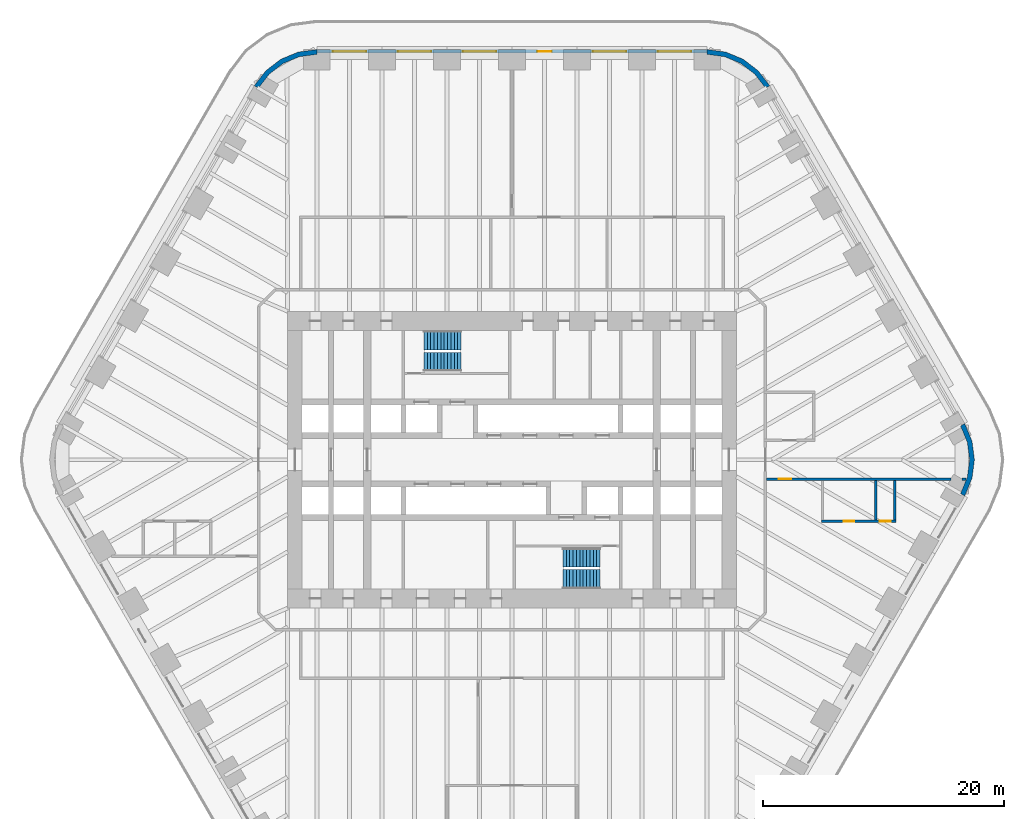
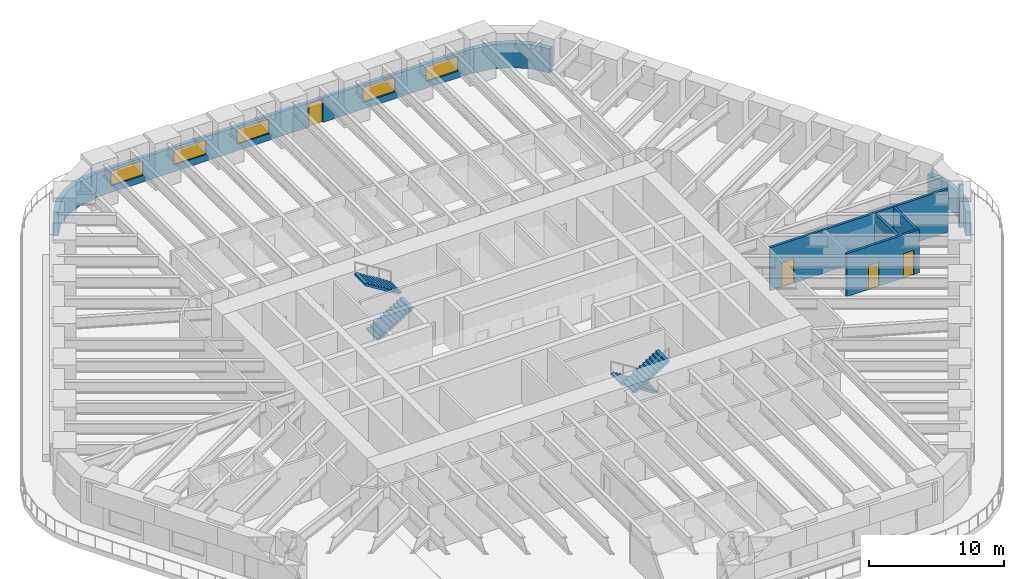
# One storey, part 13 of 16: 9 walls, 5 windows, 4 doors, 4 stair flights, 9 openings, 2 elements without a shape of their own.
"""IFC4 building model written with IfcOpenShell, lengths in metres."""

from ifc_helpers import new_model, si_unit, direction, frame, frame_2d, origin, place, context, subcontext, project, spatial, polyline, rectangle, outline, extrude, material, layer, layer_set, type_object, element, fill, aggregate, save


model = new_model("IFC4")

# Units and contexts
model_context = context("Model", 3, precision=1e-05, world=origin(), true_north=direction((0.0, 1.0)))
body_context = subcontext(model_context, "Body", "Model", "MODEL_VIEW")
ifc_project = project(units=[si_unit("LENGTHUNIT", "METRE"), si_unit("AREAUNIT", "SQUARE_METRE"), si_unit("VOLUMEUNIT", "CUBIC_METRE"), si_unit("PLANEANGLEUNIT", "RADIAN"), si_unit("MASSUNIT", "GRAM", prefix="KILO")], contexts=[model_context])

# Site, building, storey
site_placement = place(None, origin())
site = spatial("IfcSite", under=ifc_project, at=site_placement, CompositionType="ELEMENT")
building_placement = place(site_placement, origin())
building = spatial("IfcBuilding", under=site, at=building_placement, Name="Tarfa Lantern Tower", CompositionType="ELEMENT")
storey_placement = place(building_placement, frame((0.0, 0.0, 103.300048828125)))
storey = spatial("IfcBuildingStorey", under=building, at=storey_placement, Name="L23", CompositionType="ELEMENT", Elevation=103.300048828125)

# Wall, openings, door, windows
ifc_material_1 = material(Name="Limestone cladding on blockwork", Category="masonry")
ifc_layer_1 = layer(ifc_material_1, 0.300048828125)
ifc_layer_set_1 = layer_set([ifc_layer_1], Name="EW1 STONE-CLAD WALL 300")
wall_type_1 = type_object("IfcWallType", Name="EW1 STONE-CLAD WALL 300", PredefinedType="SOLIDWALL", material=ifc_layer_set_1)
wall_1_placement = place(storey_placement, frame((16.165771484375, 33.85009765625, 0.0), z_axis=(0.0, 0.0, 1.0), x_axis=(-1.0, 0.0, 0.0)))
wall_1 = element("IfcWall", 1, at=wall_1_placement, inside=storey, type_object=wall_type_1, Name="Stone wall N", PredefinedType="SOLIDWALL", context=body_context, shape_type="SweptSolid", body=[
    extrude(rectangle(XDim=32.33154296875, YDim=0.300048828125, at=frame_2d((16.165771484375, 0.0))), origin(), (0.0, 0.0, 1.0), 2.199951171875),
])
opening_1_placement = place(wall_1_placement, frame((1.3193359375, 0.0, 0.60009765625)))
opening_1 = element("IfcOpeningElement", 2, at=opening_1_placement, cuts=wall_1, Name="Opening W3", PredefinedType="OPENING", context=body_context, shape_type="SweptSolid", body=[
    extrude(rectangle(XDim=2.75, YDim=1.35009765625, at=frame_2d((1.375, 0.675048828125))), frame((0.0, 0.159912109375, 0.0), z_axis=(0.0, -1.0, 0.0), x_axis=(1.0, 0.0, 0.0)), (0.0, 0.0, 1.0), 0.320068359375),
])
opening_2_placement = place(wall_1_placement, frame((6.7080078125, 0.0, 0.60009765625)))
opening_2 = element("IfcOpeningElement", 3, at=opening_2_placement, cuts=wall_1, Name="Opening W3", PredefinedType="OPENING", context=body_context, shape_type="SweptSolid", body=[
    extrude(rectangle(XDim=2.75, YDim=1.35009765625, at=frame_2d((1.375, 0.675048828125))), frame((0.0, 0.159912109375, 0.0), z_axis=(0.0, -1.0, 0.0), x_axis=(1.0, 0.0, 0.0)), (0.0, 0.0, 1.0), 0.320068359375),
])
opening_3_placement = place(wall_1_placement, frame((12.87158203125, 0.0, 0.0)))
opening_3 = element("IfcOpeningElement", 4, at=opening_3_placement, cuts=wall_1, Name="Opening D45", PredefinedType="OPENING", context=body_context, shape_type="SweptSolid", body=[
    extrude(rectangle(XDim=1.199951171875, YDim=2.10009765625, at=frame_2d((0.60009765625, 1.050048828125))), frame((0.0, 0.159912109375, 0.0), z_axis=(0.0, -1.0, 0.0), x_axis=(1.0, 0.0, 0.0)), (0.0, 0.0, 1.0), 0.320068359375),
])
opening_4_placement = place(wall_1_placement, frame((17.485107421875, 0.0, 0.60009765625)))
opening_4 = element("IfcOpeningElement", 5, at=opening_4_placement, cuts=wall_1, Name="Opening W3", PredefinedType="OPENING", context=body_context, shape_type="SweptSolid", body=[
    extrude(rectangle(XDim=2.75, YDim=1.35009765625, at=frame_2d((1.375, 0.675048828125))), frame((0.0, 0.159912109375, 0.0), z_axis=(0.0, -1.0, 0.0), x_axis=(1.0, 0.0, 0.0)), (0.0, 0.0, 1.0), 0.320068359375),
])
opening_5_placement = place(wall_1_placement, frame((22.873779296875, 0.0, 0.60009765625)))
opening_5 = element("IfcOpeningElement", 6, at=opening_5_placement, cuts=wall_1, Name="Opening W3", PredefinedType="OPENING", context=body_context, shape_type="SweptSolid", body=[
    extrude(rectangle(XDim=2.75, YDim=1.35009765625, at=frame_2d((1.375, 0.675048828125))), frame((0.0, 0.159912109375, 0.0), z_axis=(0.0, -1.0, 0.0), x_axis=(1.0, 0.0, 0.0)), (0.0, 0.0, 1.0), 0.320068359375),
])
opening_6_placement = place(wall_1_placement, frame((28.26220703125, 0.0, 0.60009765625)))
opening_6 = element("IfcOpeningElement", 7, at=opening_6_placement, cuts=wall_1, Name="Opening W3", PredefinedType="OPENING", context=body_context, shape_type="SweptSolid", body=[
    extrude(rectangle(XDim=2.75, YDim=1.35009765625, at=frame_2d((1.375, 0.675048828125))), frame((0.0, 0.159912109375, 0.0), z_axis=(0.0, -1.0, 0.0), x_axis=(1.0, 0.0, 0.0)), (0.0, 0.0, 1.0), 0.320068359375),
])
ifc_material_2 = material(Name="Aluminium framed glazed door", Category="aluminium")
door_type_1 = type_object("IfcDoorType", Name="BE4 BALCONY DOOR 1200x2100", OperationType="SINGLE_SWING_RIGHT", PredefinedType="DOOR", material=ifc_material_2)
door_1_placement = place(opening_3_placement, origin())
door_1 = element("IfcDoor", 8, at=door_1_placement, inside=storey, type_object=door_type_1, Name="Balcony door N", OperationType="SINGLE_SWING_LEFT", OverallHeight=2.10009765625, OverallWidth=1.199951171875, PredefinedType="DOOR", context=body_context, shape_type="SweptSolid", body=[
    extrude(rectangle(XDim=1.199951171875, YDim=2.10009765625, at=frame_2d((0.60009765625, 1.050048828125))), frame((0.0, 0.02490234375, 0.0), z_axis=(0.0, -1.0, 0.0), x_axis=(1.0, 0.0, 0.0)), (0.0, 0.0, 1.0), 0.050048828125),
])
fill(opening_3, door_1)
ifc_material_3 = material(Name="Aluminium frame, double glazed", Category="aluminium")
window_type = type_object("IfcWindowType", Name="W3 FULL-HEIGHT GLAZING 2750x1350", PartitioningType="SINGLE_PANEL", PredefinedType="WINDOW", material=ifc_material_3)
window_1_placement = place(opening_1_placement, origin())
window_1 = element("IfcWindow", 9, at=window_1_placement, inside=storey, type_object=window_type, Name="Window N 1", OverallHeight=1.35009765625, OverallWidth=2.75, PartitioningType="SINGLE_PANEL", PredefinedType="WINDOW", context=body_context, shape_type="SweptSolid", body=[
    extrude(rectangle(XDim=2.75, YDim=1.35009765625, at=frame_2d((1.375, 0.675048828125))), frame((0.0, 0.030029296875, 0.0), z_axis=(0.0, -1.0, 0.0), x_axis=(1.0, 0.0, 0.0)), (0.0, 0.0, 1.0), 0.06005859375),
])
fill(opening_1, window_1)
window_2_placement = place(opening_2_placement, origin())
window_2 = element("IfcWindow", 10, at=window_2_placement, inside=storey, type_object=window_type, Name="Window N 2", OverallHeight=1.35009765625, OverallWidth=2.75, PartitioningType="SINGLE_PANEL", PredefinedType="WINDOW", context=body_context, shape_type="SweptSolid", body=[
    extrude(rectangle(XDim=2.75, YDim=1.35009765625, at=frame_2d((1.375, 0.675048828125))), frame((0.0, 0.030029296875, 0.0), z_axis=(0.0, -1.0, 0.0), x_axis=(1.0, 0.0, 0.0)), (0.0, 0.0, 1.0), 0.06005859375),
])
fill(opening_2, window_2)
window_3_placement = place(opening_4_placement, origin())
window_3 = element("IfcWindow", 11, at=window_3_placement, inside=storey, type_object=window_type, Name="Window N 4", OverallHeight=1.35009765625, OverallWidth=2.75, PartitioningType="SINGLE_PANEL", PredefinedType="WINDOW", context=body_context, shape_type="SweptSolid", body=[
    extrude(rectangle(XDim=2.75, YDim=1.35009765625, at=frame_2d((1.375, 0.675048828125))), frame((0.0, 0.030029296875, 0.0), z_axis=(0.0, -1.0, 0.0), x_axis=(1.0, 0.0, 0.0)), (0.0, 0.0, 1.0), 0.06005859375),
])
fill(opening_4, window_3)
window_4_placement = place(opening_5_placement, origin())
window_4 = element("IfcWindow", 12, at=window_4_placement, inside=storey, type_object=window_type, Name="Window N 5", OverallHeight=1.35009765625, OverallWidth=2.75, PartitioningType="SINGLE_PANEL", PredefinedType="WINDOW", context=body_context, shape_type="SweptSolid", body=[
    extrude(rectangle(XDim=2.75, YDim=1.35009765625, at=frame_2d((1.375, 0.675048828125))), frame((0.0, 0.030029296875, 0.0), z_axis=(0.0, -1.0, 0.0), x_axis=(1.0, 0.0, 0.0)), (0.0, 0.0, 1.0), 0.06005859375),
])
fill(opening_5, window_4)
window_5_placement = place(opening_6_placement, origin())
window_5 = element("IfcWindow", 13, at=window_5_placement, inside=storey, type_object=window_type, Name="Window N 6", OverallHeight=1.35009765625, OverallWidth=2.75, PartitioningType="SINGLE_PANEL", PredefinedType="WINDOW", context=body_context, shape_type="SweptSolid", body=[
    extrude(rectangle(XDim=2.75, YDim=1.35009765625, at=frame_2d((1.375, 0.675048828125))), frame((0.0, 0.030029296875, 0.0), z_axis=(0.0, -1.0, 0.0), x_axis=(1.0, 0.0, 0.0)), (0.0, 0.0, 1.0), 0.06005859375),
])
fill(opening_6, window_5)

# Walls
ifc_layer_2 = layer(ifc_material_1, 0.39990234375)
ifc_layer_set_2 = layer_set([ifc_layer_2], Name="EW2 CURVED STONE CORNER 400")
wall_type_2 = type_object("IfcWallType", Name="EW2 CURVED STONE CORNER 400", PredefinedType="SOLIDWALL", material=ifc_layer_set_2)
wall_2_placement = place(storey_placement, origin())
element("IfcWall", 14, at=wall_2_placement, inside=storey, type_object=wall_type_2, Name="Stone corner NE-N", PredefinedType="SOLIDWALL", context=body_context, shape_type="SweptSolid", body=[
    extrude(outline(polyline([(21.362060546875, 31.0), (20.408447265625, 32.24267578125), (19.165771484375, 33.196044921875), (17.71875, 33.795654296875), (16.165771484375, 34.0), (16.165771484375, 33.60009765625), (17.615234375, 33.4091796875), (18.9658203125, 32.849853515625), (20.12548828125, 31.959716796875), (21.015625, 30.800048828125), (21.362060546875, 31.0)])), origin(), (0.0, 0.0, 1.0), 2.199951171875),
])
wall_3_placement = place(storey_placement, origin())
element("IfcWall", 15, at=wall_3_placement, inside=storey, type_object=wall_type_2, Name="Stone corner N-NW", PredefinedType="SOLIDWALL", context=body_context, shape_type="SweptSolid", body=[
    extrude(outline(polyline([(-16.165771484375, 34.0), (-17.71875, 33.795654296875), (-19.165771484375, 33.196044921875), (-20.408447265625, 32.24267578125), (-21.362060546875, 31.0), (-21.015625, 30.800048828125), (-20.12548828125, 31.959716796875), (-18.9658203125, 32.849853515625), (-17.615234375, 33.4091796875), (-16.165771484375, 33.60009765625), (-16.165771484375, 34.0)])), origin(), (0.0, 0.0, 1.0), 2.199951171875),
])
wall_4_placement = place(storey_placement, origin())
element("IfcWall", 16, at=wall_4_placement, inside=storey, type_object=wall_type_2, Name="Stone corner SE-NE", PredefinedType="SOLIDWALL", context=body_context, shape_type="SweptSolid", body=[
    extrude(outline(polyline([(37.52783203125, -3.0), (38.127197265625, -1.552978515625), (38.33154296875, 0.0), (38.127197265625, 1.552978515625), (37.52783203125, 3.0), (37.181396484375, 2.800048828125), (37.74072265625, 1.449462890625), (37.931640625, 0.0), (37.74072265625, -1.449462890625), (37.181396484375, -2.800048828125), (37.52783203125, -3.0)])), origin(), (0.0, 0.0, 1.0), 2.199951171875),
])

# Wall, opening, door
ifc_material_4 = material(Name="Gypsum board on steel studs", Category="steel")
ifc_layer_3 = layer(ifc_material_4, 0.2099609375)
ifc_layer_set_3 = layer_set([ifc_layer_3], Name="IW2 ACOUSTIC PARTITION 200")
wall_type_3 = type_object("IfcWallType", Name="IW2 ACOUSTIC PARTITION 200", PredefinedType="PARTITIONING", material=ifc_layer_set_3)
wall_5_placement = place(storey_placement, frame((21.10009765625, -1.60009765625, 0.0), z_axis=(0.0, 0.0, 1.0), x_axis=(1.0, 0.0, 0.0)))
wall_5 = element("IfcWall", 17, at=wall_5_placement, inside=storey, type_object=wall_type_3, Name="Partition", PredefinedType="PARTITIONING", context=body_context, shape_type="SweptSolid", body=[
    extrude(rectangle(XDim=15.27294921875, YDim=0.199951171875, at=frame_2d((7.636474609375, 0.0))), origin(), (0.0, 0.0, 1.0), 3.89990234375),
])
opening_7_placement = place(wall_5_placement, frame((1.02734375, 0.0, 0.0)))
opening_7 = element("IfcOpeningElement", 18, at=opening_7_placement, cuts=wall_5, Name="Opening D41", PredefinedType="OPENING", context=body_context, shape_type="SweptSolid", body=[
    extrude(rectangle(XDim=1.0, YDim=2.199951171875, at=frame_2d((0.5, 1.10009765625))), frame((0.0, 0.10986328125, 0.0), z_axis=(0.0, -1.0, 0.0), x_axis=(1.0, 0.0, 0.0)), (0.0, 0.0, 1.0), 0.219970703125),
])
ifc_material_5 = material(Name="Timber door", Category="wood")
door_type_2 = type_object("IfcDoorType", Name="DR1 ROOM DOOR 1000x2200", OperationType="SINGLE_SWING_LEFT", PredefinedType="DOOR", material=ifc_material_5)
door_2_placement = place(opening_7_placement, frame((1.0, 0.0, 0.0), z_axis=(0.0, 0.0, 1.0), x_axis=(-1.0, 0.0, 0.0)))
door_2 = element("IfcDoor", 19, at=door_2_placement, inside=storey, type_object=door_type_2, Name="Zone door", OperationType="SINGLE_SWING_LEFT", OverallHeight=2.199951171875, OverallWidth=1.0, PredefinedType="DOOR", context=body_context, shape_type="SweptSolid", body=[
    extrude(rectangle(XDim=1.0, YDim=2.199951171875, at=frame_2d((0.5, 1.10009765625))), frame((0.0, 0.02490234375, 0.0), z_axis=(0.0, -1.0, 0.0), x_axis=(1.0, 0.0, 0.0)), (0.0, 0.0, 1.0), 0.050048828125),
])
fill(opening_7, door_2)

# Wall
wall_6_placement = place(storey_placement, frame((37.302978515625, -1.60009765625, 0.0), z_axis=(0.0, 0.0, 1.0), x_axis=(1.0, 0.0, 0.0)))
element("IfcWall", 20, at=wall_6_placement, inside=storey, type_object=wall_type_3, Name="Partition", PredefinedType="PARTITIONING", context=body_context, shape_type="SweptSolid", body=[
    extrude(rectangle(XDim=0.334228515625, YDim=0.199951171875, at=frame_2d((0.1669921875, 0.0))), origin(), (0.0, 0.0, 1.0), 3.89990234375),
])

# Wall, openings, doors
wall_7_placement = place(storey_placement, frame((25.636474609375, -5.10009765625, 0.0), z_axis=(0.0, 0.0, 1.0), x_axis=(1.0, 0.0, 0.0)))
wall_7 = element("IfcWall", 21, at=wall_7_placement, inside=storey, type_object=wall_type_3, Name="Partition", PredefinedType="PARTITIONING", context=body_context, shape_type="SweptSolid", body=[
    extrude(rectangle(XDim=6.199951171875, YDim=0.199951171875, at=frame_2d((3.10009765625, 0.0))), origin(), (0.0, 0.0, 1.0), 3.89990234375),
])
opening_8_placement = place(wall_7_placement, frame((1.85009765625, 0.0, 0.0)))
opening_8 = element("IfcOpeningElement", 22, at=opening_8_placement, cuts=wall_7, Name="Opening D35", PredefinedType="OPENING", context=body_context, shape_type="SweptSolid", body=[
    extrude(rectangle(XDim=0.89990234375, YDim=2.199951171875, at=frame_2d((0.449951171875, 1.10009765625))), frame((0.0, 0.10986328125, 0.0), z_axis=(0.0, -1.0, 0.0), x_axis=(1.0, 0.0, 0.0)), (0.0, 0.0, 1.0), 0.219970703125),
])
opening_9_placement = place(wall_7_placement, frame((4.85009765625, 0.0, 0.0)))
opening_9 = element("IfcOpeningElement", 23, at=opening_9_placement, cuts=wall_7, Name="Opening D36", PredefinedType="OPENING", context=body_context, shape_type="SweptSolid", body=[
    extrude(rectangle(XDim=0.89990234375, YDim=2.199951171875, at=frame_2d((0.449951171875, 1.10009765625))), frame((0.0, 0.10986328125, 0.0), z_axis=(0.0, -1.0, 0.0), x_axis=(1.0, 0.0, 0.0)), (0.0, 0.0, 1.0), 0.219970703125),
])
door_type_3 = type_object("IfcDoorType", Name="DR3 ROOM DOOR 900x2200", OperationType="SINGLE_SWING_LEFT", PredefinedType="DOOR", material=ifc_material_5)
door_3_placement = place(opening_8_placement, origin())
door_3 = element("IfcDoor", 24, at=door_3_placement, inside=storey, type_object=door_type_3, Name="Meeting room door", OperationType="SINGLE_SWING_RIGHT", OverallHeight=2.199951171875, OverallWidth=0.89990234375, PredefinedType="DOOR", context=body_context, shape_type="SweptSolid", body=[
    extrude(rectangle(XDim=0.89990234375, YDim=2.199951171875, at=frame_2d((0.449951171875, 1.10009765625))), frame((0.0, 0.02490234375, 0.0), z_axis=(0.0, -1.0, 0.0), x_axis=(1.0, 0.0, 0.0)), (0.0, 0.0, 1.0), 0.050048828125),
])
fill(opening_8, door_3)
door_4_placement = place(opening_9_placement, origin())
door_4 = element("IfcDoor", 25, at=door_4_placement, inside=storey, type_object=door_type_3, Name="Phone booth door", OperationType="SINGLE_SWING_LEFT", OverallHeight=2.199951171875, OverallWidth=0.89990234375, PredefinedType="DOOR", context=body_context, shape_type="SweptSolid", body=[
    extrude(rectangle(XDim=0.89990234375, YDim=2.199951171875, at=frame_2d((0.449951171875, 1.10009765625))), frame((0.0, 0.02490234375, 0.0), z_axis=(0.0, -1.0, 0.0), x_axis=(1.0, 0.0, 0.0)), (0.0, 0.0, 1.0), 0.050048828125),
])
fill(opening_9, door_4)

# Walls
for number, where, z_axis, x_axis, name in (
    (26, (30.136474609375, -1.699951171875, 0.0), (0.0, 0.0, 1.0), (0.0, -1.0, 0.0), "Partition"),
    (27, (31.736572265625, -1.699951171875, 0.0), (0.0, 0.0, 1.0), (0.0, -1.0, 0.0), "Partition"),
):
    element("IfcWall", number, at=place(storey_placement, frame(where, z_axis=z_axis, x_axis=x_axis)), inside=storey, type_object=wall_type_3, Name=name, PredefinedType="PARTITIONING", context=body_context, shape_type="SweptSolid", body=[
        extrude(rectangle(XDim=3.300048828125, YDim=0.199951171875, at=frame_2d((1.64990234375, 0.0))), origin(), (0.0, 0.0, 1.0), 3.89990234375),
    ])

# Stair, stair flights
ifc_material_6 = material(Name="Concrete C40/50", Category="concrete")
stair_type = type_object("IfcStairType", Name="ST-T10 HALF-TURN STAIR 4200 RISE", PredefinedType="HALF_TURN_STAIR", material=ifc_material_6)
stair_1_placement = place(storey_placement, origin())
stair_1 = element("IfcStair", 28, at=stair_1_placement, inside=storey, type_object=stair_type, Name="Stair ST1", PredefinedType="HALF_TURN_STAIR")
stair_flight_type = type_object("IfcStairFlightType", Name="SF1 STAIR FLIGHT", PredefinedType="STRAIGHT", material=ifc_material_6)
stair_flight_1_placement = place(storey_placement, frame((-7.300048828125, 8.10009765625, 0.0), z_axis=(0.0, 0.0, 1.0), x_axis=(1.0, 0.0, 0.0)))
stair_flight_1 = element("IfcStairFlight", 29, at=stair_flight_1_placement, type_object=stair_flight_type, Name="ST1 flight 1", NumberOfRisers=12, NumberOfTreads=11, PredefinedType="STRAIGHT", RiserHeight=0.175, TreadLength=0.28, context=body_context, shape_type="SweptSolid", body=[
    extrude(outline(polyline([(0.0, 0.0), (0.0, 0.175048828125), (0.280029296875, 0.175048828125), (0.280029296875, 0.35009765625), (0.56005859375, 0.35009765625), (0.56005859375, 0.52490234375), (0.840087890625, 0.52490234375), (0.840087890625, 0.699951171875), (1.1201171875, 0.699951171875), (1.1201171875, 0.875), (1.39990234375, 0.875), (1.39990234375, 1.050048828125), (1.679931640625, 1.050048828125), (1.679931640625, 1.22509765625), (1.9599609375, 1.22509765625), (1.9599609375, 1.39990234375), (2.239990234375, 1.39990234375), (2.239990234375, 1.574951171875), (2.52001953125, 1.574951171875), (2.52001953125, 1.75), (2.800048828125, 1.75), (2.800048828125, 1.925048828125), (3.080078125, 1.925048828125), (3.080078125, 2.10009765625), (3.080078125, 1.748291015625), (0.28271484375, 0.0), (0.0, 0.0)])), frame((0.0, 0.800048828125, 0.0), z_axis=(0.0, -1.0, 0.0), x_axis=(1.0, 0.0, 0.0)), (0.0, 0.0, 1.0), 1.60009765625),
])
stair_flight_2_placement = place(storey_placement, frame((-4.219970703125, 9.89990234375, 2.099853515625), z_axis=(0.0, 0.0, 1.0), x_axis=(-1.0, 0.0, 0.0)))
stair_flight_2 = element("IfcStairFlight", 30, at=stair_flight_2_placement, type_object=stair_flight_type, Name="ST1 flight 2", NumberOfRisers=12, NumberOfTreads=11, PredefinedType="STRAIGHT", RiserHeight=0.175, TreadLength=0.28, context=body_context, shape_type="SweptSolid", body=[
    extrude(outline(polyline([(0.0, 0.0), (0.0, 0.175048828125), (0.280029296875, 0.175048828125), (0.280029296875, 0.35009765625), (0.56005859375, 0.35009765625), (0.56005859375, 0.52490234375), (0.840087890625, 0.52490234375), (0.840087890625, 0.699951171875), (1.1201171875, 0.699951171875), (1.1201171875, 0.875), (1.39990234375, 0.875), (1.39990234375, 1.050048828125), (1.679931640625, 1.050048828125), (1.679931640625, 1.22509765625), (1.9599609375, 1.22509765625), (1.9599609375, 1.39990234375), (2.239990234375, 1.39990234375), (2.239990234375, 1.574951171875), (2.52001953125, 1.574951171875), (2.52001953125, 1.75), (2.800048828125, 1.75), (2.800048828125, 1.925048828125), (3.080078125, 1.925048828125), (3.080078125, 2.10009765625), (3.080078125, 1.748291015625), (0.28271484375, 0.0), (0.0, 0.0)])), frame((0.0, 0.800048828125, 0.0), z_axis=(0.0, -1.0, 0.0), x_axis=(1.0, 0.0, 0.0)), (0.0, 0.0, 1.0), 1.60009765625),
])
aggregate(stair_1, [stair_flight_1, stair_flight_2])

stair_2_placement = place(storey_placement, origin())
stair_2 = element("IfcStair", 31, at=stair_2_placement, inside=storey, type_object=stair_type, Name="Stair ST2", PredefinedType="HALF_TURN_STAIR")
stair_flight_3_placement = place(storey_placement, frame((7.300048828125, -8.10009765625, 0.0), z_axis=(0.0, 0.0, 1.0), x_axis=(-1.0, 0.0, 0.0)))
stair_flight_3 = element("IfcStairFlight", 32, at=stair_flight_3_placement, type_object=stair_flight_type, Name="ST2 flight 1", NumberOfRisers=12, NumberOfTreads=11, PredefinedType="STRAIGHT", RiserHeight=0.175, TreadLength=0.28, context=body_context, shape_type="SweptSolid", body=[
    extrude(outline(polyline([(0.0, 0.0), (0.0, 0.175048828125), (0.280029296875, 0.175048828125), (0.280029296875, 0.35009765625), (0.56005859375, 0.35009765625), (0.56005859375, 0.52490234375), (0.840087890625, 0.52490234375), (0.840087890625, 0.699951171875), (1.1201171875, 0.699951171875), (1.1201171875, 0.875), (1.39990234375, 0.875), (1.39990234375, 1.050048828125), (1.679931640625, 1.050048828125), (1.679931640625, 1.22509765625), (1.9599609375, 1.22509765625), (1.9599609375, 1.39990234375), (2.239990234375, 1.39990234375), (2.239990234375, 1.574951171875), (2.52001953125, 1.574951171875), (2.52001953125, 1.75), (2.800048828125, 1.75), (2.800048828125, 1.925048828125), (3.080078125, 1.925048828125), (3.080078125, 2.10009765625), (3.080078125, 1.748291015625), (0.28271484375, 0.0), (0.0, 0.0)])), frame((0.0, 0.800048828125, 0.0), z_axis=(0.0, -1.0, 0.0), x_axis=(1.0, 0.0, 0.0)), (0.0, 0.0, 1.0), 1.60009765625),
])
stair_flight_4_placement = place(storey_placement, frame((4.219970703125, -9.89990234375, 2.099853515625), z_axis=(0.0, 0.0, 1.0), x_axis=(1.0, 0.0, 0.0)))
stair_flight_4 = element("IfcStairFlight", 33, at=stair_flight_4_placement, type_object=stair_flight_type, Name="ST2 flight 2", NumberOfRisers=12, NumberOfTreads=11, PredefinedType="STRAIGHT", RiserHeight=0.175, TreadLength=0.28, context=body_context, shape_type="SweptSolid", body=[
    extrude(outline(polyline([(0.0, 0.0), (0.0, 0.175048828125), (0.280029296875, 0.175048828125), (0.280029296875, 0.35009765625), (0.56005859375, 0.35009765625), (0.56005859375, 0.52490234375), (0.840087890625, 0.52490234375), (0.840087890625, 0.699951171875), (1.1201171875, 0.699951171875), (1.1201171875, 0.875), (1.39990234375, 0.875), (1.39990234375, 1.050048828125), (1.679931640625, 1.050048828125), (1.679931640625, 1.22509765625), (1.9599609375, 1.22509765625), (1.9599609375, 1.39990234375), (2.239990234375, 1.39990234375), (2.239990234375, 1.574951171875), (2.52001953125, 1.574951171875), (2.52001953125, 1.75), (2.800048828125, 1.75), (2.800048828125, 1.925048828125), (3.080078125, 1.925048828125), (3.080078125, 2.10009765625), (3.080078125, 1.748291015625), (0.28271484375, 0.0), (0.0, 0.0)])), frame((0.0, 0.800048828125, 0.0), z_axis=(0.0, -1.0, 0.0), x_axis=(1.0, 0.0, 0.0)), (0.0, 0.0, 1.0), 1.60009765625),
])
aggregate(stair_2, [stair_flight_3, stair_flight_4])

save(model, "model.ifc")
